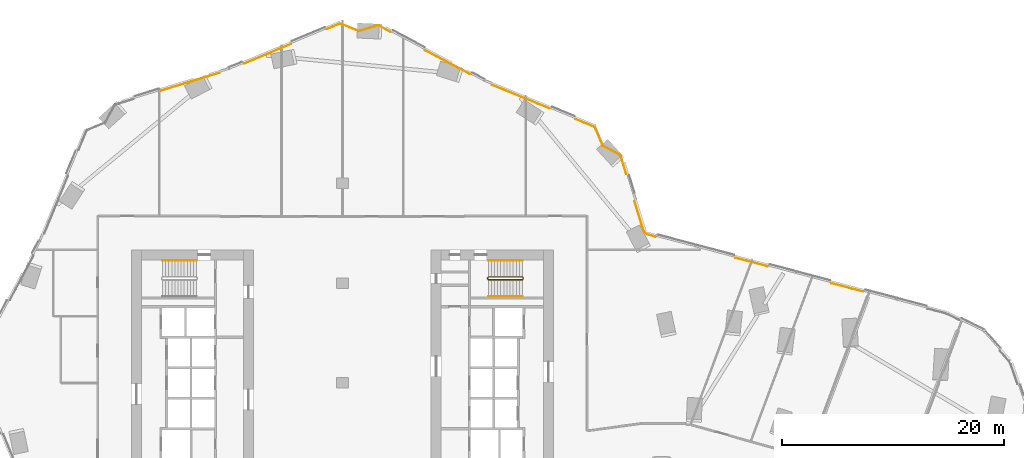
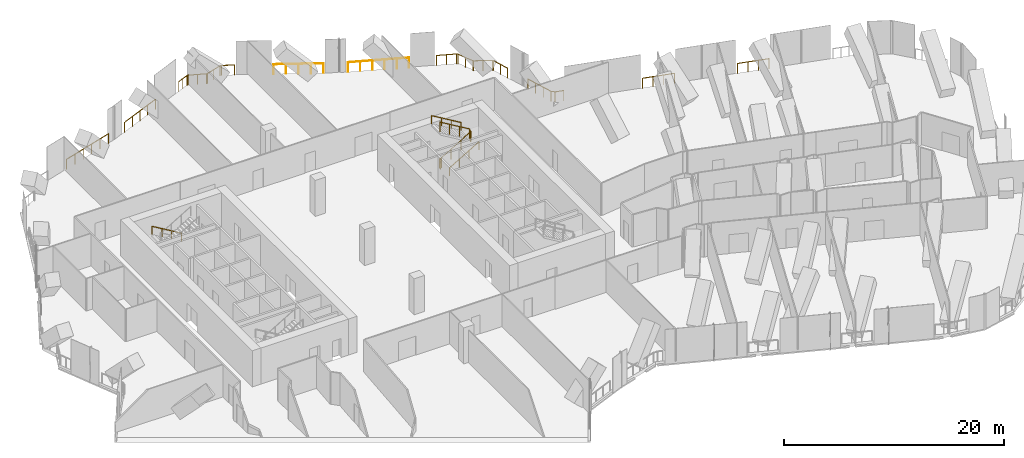
# One storey, part 34 of 34: 13 railings.
"""IFC4 building model written with IfcOpenShell, lengths in metres."""

from ifc_helpers import new_model, si_unit, direction, frame, origin, origin_2d, place, context, subcontext, project, spatial, circle, extrude, material, type_object, element, save


model = new_model("IFC4")

# Units and contexts
model_context = context("Model", 3, precision=1e-05, world=origin(), true_north=direction((0.0, 1.0)))
body_context = subcontext(model_context, "Body", "Model", "MODEL_VIEW")
ifc_project = project(units=[si_unit("LENGTHUNIT", "METRE"), si_unit("AREAUNIT", "SQUARE_METRE"), si_unit("VOLUMEUNIT", "CUBIC_METRE"), si_unit("PLANEANGLEUNIT", "RADIAN"), si_unit("MASSUNIT", "GRAM", prefix="KILO")], contexts=[model_context])

# Site, building, storey
site_placement = place(None, origin())
site = spatial("IfcSite", under=ifc_project, at=site_placement, CompositionType="ELEMENT")
building_placement = place(site_placement, origin())
building = spatial("IfcBuilding", under=site, at=building_placement, Name="Orlundy Tower", CompositionType="ELEMENT")
storey_placement = place(building_placement, frame((0.0, 0.0, 98.199951171875)))
storey = spatial("IfcBuildingStorey", under=building, at=storey_placement, Name="L24", CompositionType="ELEMENT", Elevation=98.199951171875)

# Railings
ifc_material_1 = material(Name="Steel balustrade", Category="steel")
railing_type_1 = type_object("IfcRailingType", Name="Stair Guard 1100", PredefinedType="GUARDRAIL", material=ifc_material_1)
railing_1_placement = place(storey_placement, frame((13.090087890625, 9.35009765625, 0.0)))
element("IfcRailing", 1, at=railing_1_placement, inside=storey, type_object=railing_type_1, Name="L24 ST-E2 stair guard 1", PredefinedType="GUARDRAIL", context=body_context, shape_type="SweptSolid", body=[
    extrude(circle(Radius=0.02392578125, at=origin_2d()), frame((0.0, 0.0, 1.076171875), z_axis=(0.0, 1.0, 0.0), x_axis=(-1.0, 0.0, 0.0)), (0.0, 0.0, 1.0), 0.14990234375),
    extrude(circle(Radius=0.02392578125, at=origin_2d()), frame((0.0, 0.14990234375, 1.076171875), z_axis=(0.1878875253, -0.754313153044, 0.629054802844), x_axis=(0.970351222016, 0.241699205484, 0.0)), (0.0, 0.0, 1.0), 0.26513671875),
    extrude(circle(Radius=0.02392578125, at=origin_2d()), frame((0.0498046875, -0.050048828125, 1.24267578125), z_axis=(0.859308565015, 0.0, 0.511457515432), x_axis=(0.0, 1.0, 0.0)), (0.0, 0.0, 1.0), 3.58447265625),
    extrude(circle(Radius=0.02392578125, at=origin_2d()), frame((3.1298828125, -0.050048828125, 3.076171875), z_axis=(0.707106781187, 0.707106781187, 0.0), x_axis=(-0.707106781187, 0.707106781187, 0.0)), (0.0, 0.0, 1.0), 0.07080078125),
    extrude(circle(Radius=0.02392578125, at=origin_2d()), frame((3.179931640625, 0.0, 3.076171875), z_axis=(0.0, 1.0, 0.0), x_axis=(-1.0, 0.0, 0.0)), (0.0, 0.0, 1.0), 0.14990234375),
    extrude(circle(Radius=0.02392578125, at=origin_2d()), frame((3.179931640625, 0.14990234375, 3.076171875), z_axis=(-0.27628659633, 0.27628659633, 0.920506074601), x_axis=(-0.707106781187, -0.707106781187, 0.0)), (0.0, 0.0, 1.0), 0.18115234375),
    extrude(circle(Radius=0.02392578125, at=origin_2d()), frame((3.1298828125, 0.199951171875, 3.24267578125), z_axis=(-0.859308565015, 0.0, 0.511457515432), x_axis=(0.0, -1.0, 0.0)), (0.0, 0.0, 1.0), 3.58447265625),
    extrude(circle(Radius=0.02099609375, at=origin_2d()), origin(), (0.0, 0.0, 1.0), 1.052001953125),
    extrude(circle(Radius=0.02099609375, at=origin_2d()), frame((0.0, 0.14990234375, 0.0)), (0.0, 0.0, 1.0), 1.052001953125),
    extrude(circle(Radius=0.02099609375, at=origin_2d()), frame((0.0498046875, -0.050048828125, 0.166748046875)), (0.0, 0.0, 1.0), 1.052001953125),
    extrude(circle(Radius=0.02099609375, at=origin_2d()), frame((1.076416015625, -0.050048828125, 0.77783203125)), (0.0, 0.0, 1.0), 1.052001953125),
    extrude(circle(Radius=0.02099609375, at=origin_2d()), frame((2.103271484375, -0.050048828125, 1.388916015625)), (0.0, 0.0, 1.0), 1.052001953125),
    extrude(circle(Radius=0.02099609375, at=origin_2d()), frame((3.1298828125, -0.050048828125, 2.0)), (0.0, 0.0, 1.0), 1.052001953125),
    extrude(circle(Radius=0.02099609375, at=origin_2d()), frame((3.179931640625, 0.0, 2.0)), (0.0, 0.0, 1.0), 1.052001953125),
    extrude(circle(Radius=0.02099609375, at=origin_2d()), frame((3.179931640625, 0.14990234375, 2.0)), (0.0, 0.0, 1.0), 1.052001953125),
    extrude(circle(Radius=0.02099609375, at=origin_2d()), frame((3.1298828125, 0.199951171875, 2.166748046875)), (0.0, 0.0, 1.0), 1.052001953125),
    extrude(circle(Radius=0.02099609375, at=origin_2d()), frame((2.103271484375, 0.199951171875, 2.77783203125)), (0.0, 0.0, 1.0), 1.052001953125),
    extrude(circle(Radius=0.02099609375, at=origin_2d()), frame((1.076416015625, 0.199951171875, 3.388916015625)), (0.0, 0.0, 1.0), 1.052001953125),
    extrude(circle(Radius=0.02099609375, at=origin_2d()), frame((0.0498046875, 0.199951171875, 4.0)), (0.0, 0.0, 1.0), 1.052001953125),
])
ifc_material_2 = material(Name="Steel handrail", Category="steel")
railing_type_2 = type_object("IfcRailingType", Name="Stair Handrail 900", PredefinedType="HANDRAIL", material=ifc_material_2)
railing_2_placement = place(storey_placement, frame((-13.139892578125, 11.050048828125, 0.166748046875)))
element("IfcRailing", 2, at=railing_2_placement, inside=storey, type_object=railing_type_2, Name="L24 ST-W1 stair handrail 1", PredefinedType="HANDRAIL", context=body_context, shape_type="SweptSolid", body=[
    extrude(circle(Radius=0.02392578125, at=origin_2d()), frame((0.0, 0.0, 0.8759765625), z_axis=(-0.859308565015, 0.0, 0.511457515432), x_axis=(0.0, -1.0, 0.0)), (0.0, 0.0, 1.0), 3.58447265625),
    extrude(circle(Radius=0.02099609375, at=origin_2d()), origin(), (0.0, 0.0, 1.0), 0.851806640625),
    extrude(circle(Radius=0.02099609375, at=origin_2d()), frame((-1.026611328125, 0.0, 0.611083984375)), (0.0, 0.0, 1.0), 0.851806640625),
    extrude(circle(Radius=0.02099609375, at=origin_2d()), frame((-2.053466796875, 0.0, 1.22216796875)), (0.0, 0.0, 1.0), 0.851806640625),
    extrude(circle(Radius=0.02099609375, at=origin_2d()), frame((-3.080078125, 0.0, 1.833251953125)), (0.0, 0.0, 1.0), 0.851806640625),
])
railing_3_placement = place(storey_placement, frame((13.139892578125, 7.800048828125, 0.166748046875)))
element("IfcRailing", 3, at=railing_3_placement, inside=storey, type_object=railing_type_2, Name="L24 ST-E2 stair handrail 1", PredefinedType="HANDRAIL", context=body_context, shape_type="SweptSolid", body=[
    extrude(circle(Radius=0.02392578125, at=origin_2d()), frame((0.0, 0.0, 0.8759765625), z_axis=(0.859308565015, 0.0, 0.511457515432), x_axis=(0.0, 1.0, 0.0)), (0.0, 0.0, 1.0), 3.58447265625),
    extrude(circle(Radius=0.02099609375, at=origin_2d()), origin(), (0.0, 0.0, 1.0), 0.851806640625),
    extrude(circle(Radius=0.02099609375, at=origin_2d()), frame((1.026611328125, 0.0, 0.611083984375)), (0.0, 0.0, 1.0), 0.851806640625),
    extrude(circle(Radius=0.02099609375, at=origin_2d()), frame((2.053466796875, 0.0, 1.22216796875)), (0.0, 0.0, 1.0), 0.851806640625),
    extrude(circle(Radius=0.02099609375, at=origin_2d()), frame((3.080078125, 0.0, 1.833251953125)), (0.0, 0.0, 1.0), 0.851806640625),
])
railing_4_placement = place(storey_placement, frame((16.219970703125, 11.050048828125, 2.166748046875)))
element("IfcRailing", 4, at=railing_4_placement, inside=storey, type_object=railing_type_2, Name="L24 ST-E2 stair handrail 2", PredefinedType="HANDRAIL", context=body_context, shape_type="SweptSolid", body=[
    extrude(circle(Radius=0.02392578125, at=origin_2d()), frame((0.0, 0.0, 0.8759765625), z_axis=(-0.859308565015, 0.0, 0.511457515432), x_axis=(0.0, -1.0, 0.0)), (0.0, 0.0, 1.0), 3.58447265625),
    extrude(circle(Radius=0.02099609375, at=origin_2d()), origin(), (0.0, 0.0, 1.0), 0.851806640625),
    extrude(circle(Radius=0.02099609375, at=origin_2d()), frame((-1.026611328125, 0.0, 0.611083984375)), (0.0, 0.0, 1.0), 0.851806640625),
    extrude(circle(Radius=0.02099609375, at=origin_2d()), frame((-2.053466796875, 0.0, 1.22216796875)), (0.0, 0.0, 1.0), 0.851806640625),
    extrude(circle(Radius=0.02099609375, at=origin_2d()), frame((-3.080078125, 0.0, 1.833251953125)), (0.0, 0.0, 1.0), 0.851806640625),
])
ifc_material_3 = material(Name="Stainless steel bronze finish", Category="steel")
railing_type_3 = type_object("IfcRailingType", Name="TG1 terrace guard", PredefinedType="GUARDRAIL", material=ifc_material_3)
railing_5_placement = place(storey_placement, frame((20.97412109375, 23.7734375, 0.0)))
element("IfcRailing", 5, at=railing_5_placement, inside=storey, type_object=railing_type_3, Name="Guard TG-L24-E02", PredefinedType="GUARDRAIL", context=body_context, shape_type="SweptSolid", body=[
    extrude(circle(Radius=0.02490234375, at=origin_2d()), frame((0.0, 0.0, 1.09521484375), z_axis=(0.924976960724, -0.380023186305, 0.0), x_axis=(0.380023186305, 0.924976960724, 0.0)), (0.0, 0.0, 1.0), 1.859130859375),
    extrude(circle(Radius=0.02490234375, at=origin_2d()), frame((1.7197265625, -0.70654296875, 1.09521484375), z_axis=(0.723714578036, -0.690099420039, 0.0), x_axis=(0.690099420039, 0.723714578036, 0.0)), (0.0, 0.0, 1.0), 0.12353515625),
    extrude(circle(Radius=0.02490234375, at=origin_2d()), frame((1.80908203125, -0.791748046875, 1.09521484375), z_axis=(0.385398281535, -0.922750326247, 0.0), x_axis=(0.922750326247, 0.385398281535, 0.0)), (0.0, 0.0, 1.0), 1.70458984375),
    extrude(circle(Radius=0.02490234375, at=origin_2d()), frame((2.466064453125, -2.36474609375, 1.09521484375), z_axis=(0.674627946668, -0.738157932677, 0.0), x_axis=(0.738157932677, 0.674627946668, 0.0)), (0.0, 0.0, 1.0), 0.080810546875),
    extrude(circle(Radius=0.02490234375, at=origin_2d()), frame((2.5205078125, -2.42431640625, 1.09521484375), z_axis=(0.883006282948, -0.469361166134, 0.0), x_axis=(0.469361166134, 0.883006282948, 0.0)), (0.0, 0.0, 1.0), 1.70458984375),
    extrude(circle(Radius=0.02490234375, at=origin_2d()), frame((4.025634765625, -3.224365234375, 1.09521484375), z_axis=(0.618170384409, -0.786044130974, 0.0), x_axis=(0.786044130974, 0.618170384409, 0.0)), (0.0, 0.0, 1.0), 0.12353515625),
    extrude(circle(Radius=0.02490234375, at=origin_2d()), frame((4.10205078125, -3.321533203125, 1.09521484375), z_axis=(0.292463202805, -0.956276777405, 0.0), x_axis=(0.956276777405, 0.292463202805, 0.0)), (0.0, 0.0, 1.0), 1.723876953125),
    extrude(circle(Radius=0.02001953125, at=origin_2d()), origin(), (0.0, 0.0, 1.0), 1.070068359375),
    extrude(circle(Radius=0.02001953125, at=origin_2d()), frame((0.85986328125, -0.353271484375, 0.0)), (0.0, 0.0, 1.0), 1.070068359375),
    extrude(circle(Radius=0.02001953125, at=origin_2d()), frame((1.7197265625, -0.70654296875, 0.0)), (0.0, 0.0, 1.0), 1.070068359375),
    extrude(circle(Radius=0.02001953125, at=origin_2d()), frame((1.80908203125, -0.791748046875, 0.0)), (0.0, 0.0, 1.0), 1.070068359375),
    extrude(circle(Radius=0.02001953125, at=origin_2d()), frame((2.1376953125, -1.578125, 0.0)), (0.0, 0.0, 1.0), 1.070068359375),
    extrude(circle(Radius=0.02001953125, at=origin_2d()), frame((2.466064453125, -2.36474609375, 0.0)), (0.0, 0.0, 1.0), 1.070068359375),
    extrude(circle(Radius=0.02001953125, at=origin_2d()), frame((2.5205078125, -2.42431640625, 0.0)), (0.0, 0.0, 1.0), 1.070068359375),
    extrude(circle(Radius=0.02001953125, at=origin_2d()), frame((3.27294921875, -2.82421875, 0.0)), (0.0, 0.0, 1.0), 1.070068359375),
    extrude(circle(Radius=0.02001953125, at=origin_2d()), frame((4.025634765625, -3.224365234375, 0.0)), (0.0, 0.0, 1.0), 1.070068359375),
    extrude(circle(Radius=0.02001953125, at=origin_2d()), frame((4.10205078125, -3.321533203125, 0.0)), (0.0, 0.0, 1.0), 1.070068359375),
    extrude(circle(Radius=0.02001953125, at=origin_2d()), frame((4.35400390625, -4.145751953125, 0.0)), (0.0, 0.0, 1.0), 1.070068359375),
    extrude(circle(Radius=0.02001953125, at=origin_2d()), frame((4.606201171875, -4.969970703125, 0.0)), (0.0, 0.0, 1.0), 1.070068359375),
])
railing_6_placement = place(storey_placement, frame((-1.3837890625, 31.889892578125, 0.0)))
element("IfcRailing", 6, at=railing_6_placement, inside=storey, type_object=railing_type_3, Name="Guard TG-L24-E08", PredefinedType="GUARDRAIL", context=body_context, shape_type="SweptSolid", body=[
    extrude(circle(Radius=0.02490234375, at=origin_2d()), frame((0.0, 0.0, 1.09521484375), z_axis=(0.922755419387, 0.38538608692, 0.0), x_axis=(-0.38538608692, 0.922755419387, 0.0)), (0.0, 0.0, 1.0), 1.21435546875),
    extrude(circle(Radius=0.02490234375, at=origin_2d()), frame((1.12060546875, 0.468017578125, 1.09521484375), z_axis=(0.999670131577, 0.025683224724, 0.0), x_axis=(-0.025683224724, 0.999670131577, 0.0)), (0.0, 0.0, 1.0), 0.12353515625),
    extrude(circle(Radius=0.02490234375, at=origin_2d()), frame((1.244140625, 0.47119140625, 1.09521484375), z_axis=(0.924929940006, -0.380137614662, 0.0), x_axis=(0.380137614662, 0.924929940006, 0.0)), (0.0, 0.0, 1.0), 1.705078125),
    extrude(circle(Radius=0.02490234375, at=origin_2d()), frame((2.8212890625, -0.177001953125, 1.09521484375), z_axis=(0.99896854021, -0.045407660919, 0.0), x_axis=(0.045407660919, 0.99896854021, 0.0)), (0.0, 0.0, 1.0), 0.08056640625),
    extrude(circle(Radius=0.02490234375, at=origin_2d()), frame((2.90185546875, -0.1806640625, 1.09521484375), z_axis=(0.956310399009, 0.292353246513, 0.0), x_axis=(-0.292353246513, 0.956310399009, 0.0)), (0.0, 0.0, 1.0), 1.70361328125),
    extrude(circle(Radius=0.02490234375, at=origin_2d()), frame((4.531005859375, 0.3173828125, 1.09521484375), z_axis=(0.993164102225, -0.11672645823, 0.0), x_axis=(0.11672645823, 0.993164102225, 0.0)), (0.0, 0.0, 1.0), 0.123291015625),
    extrude(circle(Radius=0.02490234375, at=origin_2d()), frame((4.653564453125, 0.302978515625, 1.09521484375), z_axis=(0.882899343637, -0.469562295128, 0.0), x_axis=(0.469562295128, 0.882899343637, 0.0)), (0.0, 0.0, 1.0), 1.198486328125),
    extrude(circle(Radius=0.02001953125, at=origin_2d()), origin(), (0.0, 0.0, 1.0), 1.070068359375),
    extrude(circle(Radius=0.02001953125, at=origin_2d()), frame((0.560302734375, 0.23388671875, 0.0)), (0.0, 0.0, 1.0), 1.070068359375),
    extrude(circle(Radius=0.02001953125, at=origin_2d()), frame((1.12060546875, 0.468017578125, 0.0)), (0.0, 0.0, 1.0), 1.070068359375),
    extrude(circle(Radius=0.02001953125, at=origin_2d()), frame((1.244140625, 0.47119140625, 0.0)), (0.0, 0.0, 1.0), 1.070068359375),
    extrude(circle(Radius=0.02001953125, at=origin_2d()), frame((2.03271484375, 0.14697265625, 0.0)), (0.0, 0.0, 1.0), 1.070068359375),
    extrude(circle(Radius=0.02001953125, at=origin_2d()), frame((2.8212890625, -0.177001953125, 0.0)), (0.0, 0.0, 1.0), 1.070068359375),
    extrude(circle(Radius=0.02001953125, at=origin_2d()), frame((2.90185546875, -0.1806640625, 0.0)), (0.0, 0.0, 1.0), 1.070068359375),
    extrude(circle(Radius=0.02001953125, at=origin_2d()), frame((3.71630859375, 0.068359375, 0.0)), (0.0, 0.0, 1.0), 1.070068359375),
    extrude(circle(Radius=0.02001953125, at=origin_2d()), frame((4.531005859375, 0.3173828125, 0.0)), (0.0, 0.0, 1.0), 1.070068359375),
    extrude(circle(Radius=0.02001953125, at=origin_2d()), frame((4.653564453125, 0.302978515625, 0.0)), (0.0, 0.0, 1.0), 1.070068359375),
    extrude(circle(Radius=0.02001953125, at=origin_2d()), frame((5.711669921875, -0.259765625, 0.0)), (0.0, 0.0, 1.0), 1.070068359375),
])
railing_7_placement = place(storey_placement, frame((13.47900390625, 26.8525390625, 0.0)))
element("IfcRailing", 7, at=railing_7_placement, inside=storey, type_object=railing_type_3, Name="Guard TG-L24-E013", PredefinedType="GUARDRAIL", context=body_context, shape_type="SweptSolid", body=[
    extrude(circle(Radius=0.02490234375, at=origin_2d()), frame((0.0, 0.0, 1.09521484375), z_axis=(0.924988934143, -0.37999404168, 0.0), x_axis=(0.37999404168, 0.924988934143, 0.0)), (0.0, 0.0, 1.0), 5.6064453125),
    extrude(circle(Radius=0.02001953125, at=origin_2d()), origin(), (0.0, 0.0, 1.0), 1.070068359375),
    extrude(circle(Radius=0.02001953125, at=origin_2d()), frame((1.037109375, -0.426025390625, 0.0)), (0.0, 0.0, 1.0), 1.070068359375),
    extrude(circle(Radius=0.02001953125, at=origin_2d()), frame((2.07421875, -0.85205078125, 0.0)), (0.0, 0.0, 1.0), 1.070068359375),
    extrude(circle(Radius=0.02001953125, at=origin_2d()), frame((3.111572265625, -1.2783203125, 0.0)), (0.0, 0.0, 1.0), 1.070068359375),
    extrude(circle(Radius=0.02001953125, at=origin_2d()), frame((4.148681640625, -1.704345703125, 0.0)), (0.0, 0.0, 1.0), 1.070068359375),
    extrude(circle(Radius=0.02001953125, at=origin_2d()), frame((5.185791015625, -2.13037109375, 0.0)), (0.0, 0.0, 1.0), 1.070068359375),
])
railing_8_placement = place(storey_placement, frame((-16.36865234375, 26.32470703125, 0.0)))
element("IfcRailing", 8, at=railing_8_placement, inside=storey, type_object=railing_type_3, Name="Guard TG-L24-E014", PredefinedType="GUARDRAIL", context=body_context, shape_type="SweptSolid", body=[
    extrude(circle(Radius=0.02490234375, at=origin_2d()), frame((0.0, 0.0, 1.09521484375), z_axis=(0.956306542826, 0.292365860093, 0.0), x_axis=(-0.292365860093, 0.956306542826, 0.0)), (0.0, 0.0, 1.0), 5.557373046875),
    extrude(circle(Radius=0.02001953125, at=origin_2d()), origin(), (0.0, 0.0, 1.0), 1.070068359375),
    extrude(circle(Radius=0.02001953125, at=origin_2d()), frame((1.06298828125, 0.324951171875, 0.0)), (0.0, 0.0, 1.0), 1.070068359375),
    extrude(circle(Radius=0.02001953125, at=origin_2d()), frame((2.125732421875, 0.64990234375, 0.0)), (0.0, 0.0, 1.0), 1.070068359375),
    extrude(circle(Radius=0.02001953125, at=origin_2d()), frame((3.188720703125, 0.974853515625, 0.0)), (0.0, 0.0, 1.0), 1.070068359375),
    extrude(circle(Radius=0.02001953125, at=origin_2d()), frame((4.25146484375, 1.2998046875, 0.0)), (0.0, 0.0, 1.0), 1.070068359375),
    extrude(circle(Radius=0.02001953125, at=origin_2d()), frame((5.314453125, 1.624755859375, 0.0)), (0.0, 0.0, 1.0), 1.070068359375),
])
railing_9_placement = place(storey_placement, frame((-8.86083984375, 28.767578125, 0.0)))
element("IfcRailing", 9, at=railing_9_placement, inside=storey, type_object=railing_type_3, Name="Guard TG-L24-E017", PredefinedType="GUARDRAIL", context=body_context, shape_type="SweptSolid", body=[
    extrude(circle(Radius=0.02490234375, at=origin_2d()), frame((0.0, 0.0, 1.09521484375), z_axis=(0.922774970253, 0.385339271648, 0.0), x_axis=(-0.385339271648, 0.922774970253, 0.0)), (0.0, 0.0, 1.0), 4.59716796875),
    extrude(circle(Radius=0.02001953125, at=origin_2d()), origin(), (0.0, 0.0, 1.0), 1.070068359375),
    extrude(circle(Radius=0.02001953125, at=origin_2d()), frame((1.060546875, 0.44287109375, 0.0)), (0.0, 0.0, 1.0), 1.070068359375),
    extrude(circle(Radius=0.02001953125, at=origin_2d()), frame((2.12109375, 0.8857421875, 0.0)), (0.0, 0.0, 1.0), 1.070068359375),
    extrude(circle(Radius=0.02001953125, at=origin_2d()), frame((3.181640625, 1.32861328125, 0.0)), (0.0, 0.0, 1.0), 1.070068359375),
    extrude(circle(Radius=0.02001953125, at=origin_2d()), frame((4.2421875, 1.771484375, 0.0)), (0.0, 0.0, 1.0), 1.070068359375),
])
railing_10_placement = place(storey_placement, frame((7.44970703125, 29.970458984375, 0.0)))
element("IfcRailing", 10, at=railing_10_placement, inside=storey, type_object=railing_type_3, Name="Guard TG-L24-E019", PredefinedType="GUARDRAIL", context=body_context, shape_type="SweptSolid", body=[
    extrude(circle(Radius=0.02490234375, at=origin_2d()), frame((0.0, 0.0, 1.09521484375), z_axis=(0.882941232246, -0.469483525163, 0.0), x_axis=(0.469483525163, 0.882941232246, 0.0)), (0.0, 0.0, 1.0), 4.56689453125),
    extrude(circle(Radius=0.02001953125, at=origin_2d()), origin(), (0.0, 0.0, 1.0), 1.070068359375),
    extrude(circle(Radius=0.02001953125, at=origin_2d()), frame((1.008056640625, -0.5361328125, 0.0)), (0.0, 0.0, 1.0), 1.070068359375),
    extrude(circle(Radius=0.02001953125, at=origin_2d()), frame((2.01611328125, -1.072021484375, 0.0)), (0.0, 0.0, 1.0), 1.070068359375),
    extrude(circle(Radius=0.02001953125, at=origin_2d()), frame((3.024169921875, -1.60791015625, 0.0)), (0.0, 0.0, 1.0), 1.070068359375),
    extrude(circle(Radius=0.02001953125, at=origin_2d()), frame((4.0322265625, -2.14404296875, 0.0)), (0.0, 0.0, 1.0), 1.070068359375),
])
railing_11_placement = place(storey_placement, frame((26.32470703125, 16.36865234375, 0.0)))
element("IfcRailing", 11, at=railing_11_placement, inside=storey, type_object=railing_type_3, Name="Guard TG-L24-E021", PredefinedType="GUARDRAIL", context=body_context, shape_type="SweptSolid", body=[
    extrude(circle(Radius=0.02490234375, at=origin_2d()), frame((0.0, 0.0, 1.09521484375), z_axis=(0.292430360903, -0.956286821002, 0.0), x_axis=(0.956286821002, 0.292430360903, 0.0)), (0.0, 0.0, 1.0), 2.84033203125),
    extrude(circle(Radius=0.02490234375, at=origin_2d()), frame((0.83056640625, -2.716064453125, 1.09521484375), z_axis=(0.720180647224, -0.69378659209, 0.0), x_axis=(0.69378659209, 0.720180647224, 0.0)), (0.0, 0.0, 1.0), 0.388427734375),
    extrude(circle(Radius=0.02490234375, at=origin_2d()), frame((1.1103515625, -2.985595703125, 1.09521484375), z_axis=(0.966707392629, -0.255884382167, 0.0), x_axis=(0.255884382167, 0.966707392629, 0.0)), (0.0, 0.0, 1.0), 0.820556640625),
    extrude(circle(Radius=0.02001953125, at=origin_2d()), origin(), (0.0, 0.0, 1.0), 1.070068359375),
    extrude(circle(Radius=0.02001953125, at=origin_2d()), frame((0.27685546875, -0.9052734375, 0.0)), (0.0, 0.0, 1.0), 1.070068359375),
    extrude(circle(Radius=0.02001953125, at=origin_2d()), frame((0.5537109375, -1.810791015625, 0.0)), (0.0, 0.0, 1.0), 1.070068359375),
    extrude(circle(Radius=0.02001953125, at=origin_2d()), frame((0.83056640625, -2.716064453125, 0.0)), (0.0, 0.0, 1.0), 1.070068359375),
    extrude(circle(Radius=0.02001953125, at=origin_2d()), frame((1.1103515625, -2.985595703125, 0.0)), (0.0, 0.0, 1.0), 1.070068359375),
    extrude(circle(Radius=0.02001953125, at=origin_2d()), frame((1.903564453125, -3.195556640625, 0.0)), (0.0, 0.0, 1.0), 1.070068359375),
])
railing_12_placement = place(storey_placement, frame((35.40625, 11.27197265625, 0.0)))
element("IfcRailing", 12, at=railing_12_placement, inside=storey, type_object=railing_type_3, Name="Guard TG-L24-E029", PredefinedType="GUARDRAIL", context=body_context, shape_type="SweptSolid", body=[
    extrude(circle(Radius=0.02490234375, at=origin_2d()), frame((0.0, 0.0, 1.09521484375), z_axis=(0.966654227332, -0.256085151425, 0.0), x_axis=(0.256085151425, 0.966654227332, 0.0)), (0.0, 0.0, 1.0), 2.996337890625),
    extrude(circle(Radius=0.02001953125, at=origin_2d()), origin(), (0.0, 0.0, 1.0), 1.070068359375),
    extrude(circle(Radius=0.02001953125, at=origin_2d()), frame((0.965576171875, -0.255859375, 0.0)), (0.0, 0.0, 1.0), 1.070068359375),
    extrude(circle(Radius=0.02001953125, at=origin_2d()), frame((1.930908203125, -0.511474609375, 0.0)), (0.0, 0.0, 1.0), 1.070068359375),
    extrude(circle(Radius=0.02001953125, at=origin_2d()), frame((2.896484375, -0.767333984375, 0.0)), (0.0, 0.0, 1.0), 1.070068359375),
])
railing_13_placement = place(storey_placement, frame((44.051025390625, 8.982177734375, 0.0)))
element("IfcRailing", 13, at=railing_13_placement, inside=storey, type_object=railing_type_3, Name="Guard TG-L24-E030", PredefinedType="GUARDRAIL", context=body_context, shape_type="SweptSolid", body=[
    extrude(circle(Radius=0.02490234375, at=origin_2d()), frame((0.0, 0.0, 1.09521484375), z_axis=(0.966663351112, -0.256050709074, 0.0), x_axis=(0.256050709074, 0.966663351112, 0.0)), (0.0, 0.0, 1.0), 2.97021484375),
    extrude(circle(Radius=0.02001953125, at=origin_2d()), origin(), (0.0, 0.0, 1.0), 1.070068359375),
    extrude(circle(Radius=0.02001953125, at=origin_2d()), frame((0.95703125, -0.25341796875, 0.0)), (0.0, 0.0, 1.0), 1.070068359375),
    extrude(circle(Radius=0.02001953125, at=origin_2d()), frame((1.9140625, -0.507080078125, 0.0)), (0.0, 0.0, 1.0), 1.070068359375),
    extrude(circle(Radius=0.02001953125, at=origin_2d()), frame((2.87109375, -0.760498046875, 0.0)), (0.0, 0.0, 1.0), 1.070068359375),
])

save(model, "model.ifc")
